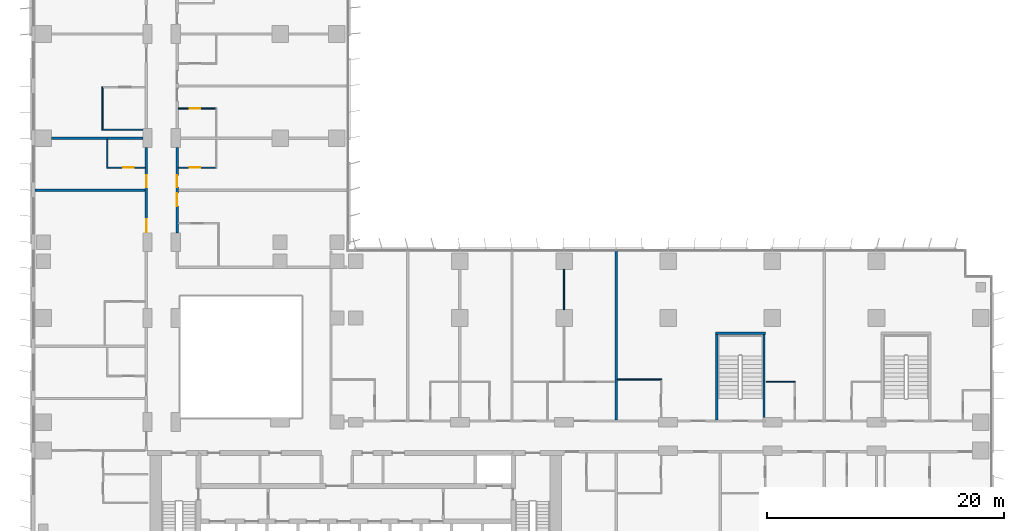
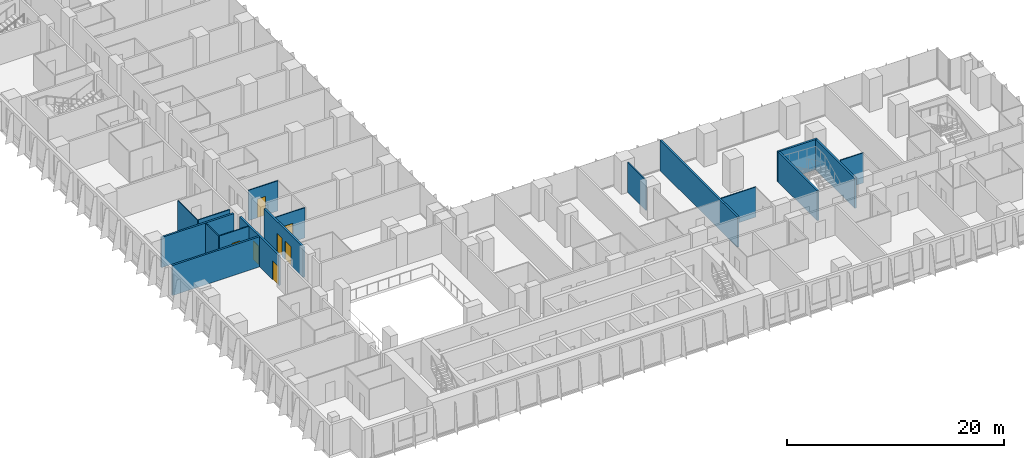
# One storey, part 15 of 24: 17 walls, 7 doors, 7 openings.
"""IFC4 building model written with IfcOpenShell, lengths in metres."""

from ifc_helpers import new_model, si_unit, direction, frame, frame_2d, origin, place, context, subcontext, project, spatial, rectangle, extrude, material, layer, layer_set, type_object, element, fill, save


model = new_model("IFC4")

# Units and contexts
model_context = context("Model", 3, precision=1e-05, world=origin(), true_north=direction((0.0, 1.0)))
body_context = subcontext(model_context, "Body", "Model", "MODEL_VIEW")
ifc_project = project(units=[si_unit("LENGTHUNIT", "METRE"), si_unit("AREAUNIT", "SQUARE_METRE"), si_unit("VOLUMEUNIT", "CUBIC_METRE"), si_unit("PLANEANGLEUNIT", "RADIAN"), si_unit("MASSUNIT", "GRAM", prefix="KILO")], contexts=[model_context])

# Site, building, storey
site_placement = place(None, origin())
site = spatial("IfcSite", under=ifc_project, at=site_placement, CompositionType="ELEMENT")
building_placement = place(site_placement, origin())
building = spatial("IfcBuilding", under=site, at=building_placement, Name="Kemantara Hotel Tower", CompositionType="ELEMENT")
storey_placement = place(building_placement, frame((0.0, 0.0, 56.199951171875)))
storey = spatial("IfcBuildingStorey", under=building, at=storey_placement, Name="L12", CompositionType="ELEMENT", Elevation=56.199951171875)

# Wall, openings, doors
ifc_material_1 = material(Name="Gypsum board partition, steel studs and mineral wool, 200 mm", Category="steel")
ifc_layer_1 = layer(ifc_material_1, 0.199951171875)
ifc_layer_set_1 = layer_set([ifc_layer_1], Name="Gypsum board partition, steel studs and mineral wool, 200 mm")
wall_type_1 = type_object("IfcWallType", Name="CORRIDOR WALL 200", PredefinedType="PARTITIONING", material=ifc_layer_set_1)
wall_1_placement = place(storey_placement, frame((9.699951171875, 28.2001953125, 0.0), z_axis=(0.0, 0.0, 1.0), x_axis=(0.0, 1.0, 0.0)))
wall_1 = element("IfcWall", 1, at=wall_1_placement, inside=storey, type_object=wall_type_1, Name="CORRIDOR WALL 200 028", PredefinedType="PARTITIONING", context=body_context, shape_type="SweptSolid", body=[
    extrude(rectangle(XDim=7.19970703125, YDim=0.199951171875, at=frame_2d((3.599853515625, 0.0))), origin(), (0.0, 0.0, 1.0), 3.400146484375),
])
opening_1_placement = place(wall_1_placement, frame((0.0498046875, 0.0, 0.0)))
opening_1 = element("IfcOpeningElement", 2, at=opening_1_placement, cuts=wall_1, Name="Opening F04-035", PredefinedType="OPENING", context=body_context, shape_type="SweptSolid", body=[
    extrude(rectangle(XDim=1.10009765625, YDim=2.10009765625, at=frame_2d((0.550048828125, 1.050048828125))), frame((0.0, 0.10986328125, 0.0), z_axis=(0.0, -1.0, 0.0), x_axis=(1.0, 0.0, 0.0)), (0.0, 0.0, 1.0), 0.219970703125),
])
opening_2_placement = place(wall_1_placement, frame((3.849853515625, 0.0, 0.0)))
opening_2 = element("IfcOpeningElement", 3, at=opening_2_placement, cuts=wall_1, Name="Opening F04-037", PredefinedType="OPENING", context=body_context, shape_type="SweptSolid", body=[
    extrude(rectangle(XDim=1.0, YDim=2.10009765625, at=frame_2d((0.5, 1.050048828125))), frame((0.0, 0.10986328125, 0.0), z_axis=(0.0, -1.0, 0.0), x_axis=(1.0, 0.0, 0.0)), (0.0, 0.0, 1.0), 0.219970703125),
])
ifc_material_2 = material(Name="Hardwood veneer door leaf with steel frame", Category="steel")
door_type_1 = type_object("IfcDoorType", Name="GUEST ROOM DOOR 1000 X 2100 FD30S", OperationType="NOTDEFINED", PredefinedType="DOOR", material=ifc_material_2)
door_1_placement = place(opening_2_placement, origin())
door_1 = element("IfcDoor", 4, at=door_1_placement, inside=storey, type_object=door_type_1, Name="GUEST ROOM DOOR F04-037", OperationType="SINGLE_SWING_LEFT", OverallHeight=2.10009765625, OverallWidth=1.0, PredefinedType="DOOR", context=body_context, shape_type="SweptSolid", body=[
    extrude(rectangle(XDim=1.0, YDim=2.10009765625, at=frame_2d((0.5, 1.050048828125))), frame((0.0, 0.02490234375, 0.0), z_axis=(0.0, -1.0, 0.0), x_axis=(1.0, 0.0, 0.0)), (0.0, 0.0, 1.0), 0.050048828125),
])
fill(opening_2, door_1)
door_type_2 = type_object("IfcDoorType", Name="SUITE ENTRANCE DOOR 1100 X 2100 FD30S", OperationType="NOTDEFINED", PredefinedType="DOOR", material=ifc_material_2)
door_2_placement = place(opening_1_placement, origin())
door_2 = element("IfcDoor", 5, at=door_2_placement, inside=storey, type_object=door_type_2, Name="SUITE ENTRANCE DOOR F04-035", OperationType="SINGLE_SWING_RIGHT", OverallHeight=2.10009765625, OverallWidth=1.10009765625, PredefinedType="DOOR", context=body_context, shape_type="SweptSolid", body=[
    extrude(rectangle(XDim=1.10009765625, YDim=2.10009765625, at=frame_2d((0.550048828125, 1.050048828125))), frame((0.0, 0.02490234375, 0.0), z_axis=(0.0, -1.0, 0.0), x_axis=(1.0, 0.0, 0.0)), (0.0, 0.0, 1.0), 0.050048828125),
])
fill(opening_1, door_2)

wall_2_placement = place(storey_placement, frame((12.300048828125, 35.39990234375, 0.0), z_axis=(0.0, 0.0, 1.0), x_axis=(0.0, -1.0, 0.0)))
wall_2 = element("IfcWall", 6, at=wall_2_placement, inside=storey, type_object=wall_type_1, Name="CORRIDOR WALL 200 048", PredefinedType="PARTITIONING", context=body_context, shape_type="SweptSolid", body=[
    extrude(rectangle(XDim=7.19970703125, YDim=0.199951171875, at=frame_2d((3.599853515625, 0.0))), origin(), (0.0, 0.0, 1.0), 3.400146484375),
])
opening_3_placement = place(wall_2_placement, frame((3.849853515625, 0.0, 0.0)))
opening_3 = element("IfcOpeningElement", 7, at=opening_3_placement, cuts=wall_2, Name="Opening F04-049", PredefinedType="OPENING", context=body_context, shape_type="SweptSolid", body=[
    extrude(rectangle(XDim=1.10009765625, YDim=2.10009765625, at=frame_2d((0.550048828125, 1.050048828125))), frame((0.0, 0.10986328125, 0.0), z_axis=(0.0, -1.0, 0.0), x_axis=(1.0, 0.0, 0.0)), (0.0, 0.0, 1.0), 0.219970703125),
])
opening_4_placement = place(wall_2_placement, frame((2.349853515625, 0.0, 0.0)))
opening_4 = element("IfcOpeningElement", 8, at=opening_4_placement, cuts=wall_2, Name="Opening F04-051", PredefinedType="OPENING", context=body_context, shape_type="SweptSolid", body=[
    extrude(rectangle(XDim=1.0, YDim=2.10009765625, at=frame_2d((0.5, 1.050048828125))), frame((0.0, 0.10986328125, 0.0), z_axis=(0.0, -1.0, 0.0), x_axis=(1.0, 0.0, 0.0)), (0.0, 0.0, 1.0), 0.219970703125),
])
door_3_placement = place(opening_4_placement, origin())
door_3 = element("IfcDoor", 9, at=door_3_placement, inside=storey, type_object=door_type_1, Name="GUEST ROOM DOOR F04-051", OperationType="SINGLE_SWING_RIGHT", OverallHeight=2.10009765625, OverallWidth=1.0, PredefinedType="DOOR", context=body_context, shape_type="SweptSolid", body=[
    extrude(rectangle(XDim=1.0, YDim=2.10009765625, at=frame_2d((0.5, 1.050048828125))), frame((0.0, 0.02490234375, 0.0), z_axis=(0.0, -1.0, 0.0), x_axis=(1.0, 0.0, 0.0)), (0.0, 0.0, 1.0), 0.050048828125),
])
fill(opening_4, door_3)
door_4_placement = place(opening_3_placement, origin())
door_4 = element("IfcDoor", 10, at=door_4_placement, inside=storey, type_object=door_type_2, Name="SUITE ENTRANCE DOOR F04-049", OperationType="SINGLE_SWING_LEFT", OverallHeight=2.10009765625, OverallWidth=1.10009765625, PredefinedType="DOOR", context=body_context, shape_type="SweptSolid", body=[
    extrude(rectangle(XDim=1.10009765625, YDim=2.10009765625, at=frame_2d((0.550048828125, 1.050048828125))), frame((0.0, 0.02490234375, 0.0), z_axis=(0.0, -1.0, 0.0), x_axis=(1.0, 0.0, 0.0)), (0.0, 0.0, 1.0), 0.050048828125),
])
fill(opening_3, door_4)

# Walls
ifc_material_3 = material(Name="Concrete fc 40 MPa", Category="concrete")
ifc_layer_2 = layer(ifc_material_3, 0.199951171875)
ifc_layer_set_2 = layer_set([ifc_layer_2], Name="Concrete fc 40 MPa")
wall_type_2 = type_object("IfcWallType", Name="Concrete stair wall 200 mm", PredefinedType="SHEAR", material=ifc_layer_set_2)
wall_3_placement = place(storey_placement, frame((57.800048828125, 19.699951171875, 0.0), z_axis=(0.0, 0.0, 1.0), x_axis=(1.0, 0.0, 0.0)))
element("IfcWall", 11, at=wall_3_placement, inside=storey, type_object=wall_type_2, Name="Stair ST3 enclosure wall N", PredefinedType="SHEAR", context=body_context, shape_type="SweptSolid", body=[
    extrude(rectangle(XDim=4.199951171875, YDim=0.199951171875, at=frame_2d((2.10009765625, 0.0))), origin(), (0.0, 0.0, 1.0), 3.400146484375),
])
for number, where, z_axis, x_axis, name in (
    (12, (57.89990234375, 12.39990234375, 0.0), (0.0, 0.0, 1.0), (0.0, 1.0, 0.0), "Stair ST3 enclosure wall W"),
    (13, (61.89990234375, 12.39990234375, 0.0), (0.0, 0.0, 1.0), (0.0, 1.0, 0.0), "Stair ST3 enclosure wall E"),
):
    element("IfcWall", number, at=place(storey_placement, frame(where, z_axis=z_axis, x_axis=x_axis)), inside=storey, type_object=wall_type_2, Name=name, PredefinedType="SHEAR", context=body_context, shape_type="SweptSolid", body=[
        extrude(rectangle(XDim=7.2001953125, YDim=0.199951171875, at=frame_2d((3.60009765625, 0.0))), origin(), (0.0, 0.0, 1.0), 3.400146484375),
    ])
ifc_layer_3 = layer(ifc_material_1, 0.199951171875)
ifc_layer_set_3 = layer_set([ifc_layer_3], Name="Gypsum board partition, steel studs and mineral wool, 200 mm")
wall_type_3 = type_object("IfcWallType", Name="GUEST ROOM PARTY WALL 200", PredefinedType="PARTITIONING", material=ifc_layer_set_3)
wall_4_placement = place(storey_placement, frame((49.39990234375, 12.39990234375, 0.0), z_axis=(0.0, 0.0, 1.0), x_axis=(0.0, 1.0, 0.0)))
element("IfcWall", 14, at=wall_4_placement, inside=storey, type_object=wall_type_3, Name="GUEST ROOM PARTY WALL 200 006", PredefinedType="PARTITIONING", context=body_context, shape_type="SweptSolid", body=[
    extrude(rectangle(XDim=14.27001953125, YDim=0.199951171875, at=frame_2d((7.135009765625, 0.0))), origin(), (0.0, 0.0, 1.0), 3.400146484375),
])
wall_5_placement = place(storey_placement, frame((0.31005859375, 31.800048828125, 0.0), z_axis=(0.0, 0.0, 1.0), x_axis=(1.0, 0.0, 0.0)))
element("IfcWall", 15, at=wall_5_placement, inside=storey, type_object=wall_type_3, Name="GUEST ROOM PARTY WALL 200 036", PredefinedType="PARTITIONING", context=body_context, shape_type="SweptSolid", body=[
    extrude(rectangle(XDim=9.2900390625, YDim=0.199951171875, at=frame_2d((4.64501953125, 0.0))), origin(), (0.0, 0.0, 1.0), 3.400146484375),
])
wall_6_placement = place(storey_placement, frame((1.7001953125, 36.199951171875, 0.0), z_axis=(0.0, 0.0, 1.0), x_axis=(1.0, 0.0, 0.0)))
element("IfcWall", 16, at=wall_6_placement, inside=storey, type_object=wall_type_3, Name="GUEST ROOM PARTY WALL 200 038", PredefinedType="PARTITIONING", context=body_context, shape_type="SweptSolid", body=[
    extrude(rectangle(XDim=7.69970703125, YDim=0.199951171875, at=frame_2d((3.849853515625, 0.0))), origin(), (0.0, 0.0, 1.0), 3.400146484375),
])
ifc_material_4 = material(Name="Gypsum board partition on steel studs, 100 mm", Category="steel")
ifc_layer_4 = layer(ifc_material_4, 0.10009765625)
ifc_layer_set_4 = layer_set([ifc_layer_4], Name="Gypsum board partition on steel studs, 100 mm")
wall_type_4 = type_object("IfcWallType", Name="ROOM PARTITION 100", PredefinedType="PARTITIONING", material=ifc_layer_set_4)
wall_7_placement = place(storey_placement, frame((49.5, 15.800048828125, 0.0), z_axis=(0.0, 0.0, 1.0), x_axis=(1.0, 0.0, 0.0)))
element("IfcWall", 17, at=wall_7_placement, inside=storey, type_object=wall_type_4, Name="ROOM PARTITION 100 078", PredefinedType="PARTITIONING", context=body_context, shape_type="SweptSolid", body=[
    extrude(rectangle(XDim=3.75, YDim=0.10009765625, at=frame_2d((1.875, 0.0))), origin(), (0.0, 0.0, 1.0), 3.400146484375),
])
wall_8_placement = place(storey_placement, frame((62.10009765625, 15.60009765625, 0.0), z_axis=(0.0, 0.0, 1.0), x_axis=(1.0, 0.0, 0.0)))
element("IfcWall", 18, at=wall_8_placement, inside=storey, type_object=wall_type_4, Name="ROOM PARTITION 100 083", PredefinedType="PARTITIONING", context=body_context, shape_type="SweptSolid", body=[
    extrude(rectangle(XDim=2.449951171875, YDim=0.10009765625, at=frame_2d((1.22509765625, 0.0))), origin(), (0.0, 0.0, 1.0), 3.400146484375),
])
wall_9_placement = place(storey_placement, frame((45.0, 21.7001953125, 0.0), z_axis=(0.0, 0.0, 1.0), x_axis=(0.0, 1.0, 0.0)))
element("IfcWall", 19, at=wall_9_placement, inside=storey, type_object=wall_type_4, Name="ROOM PARTITION 100 089", PredefinedType="PARTITIONING", context=body_context, shape_type="SweptSolid", body=[
    extrude(rectangle(XDim=3.399658203125, YDim=0.10009765625, at=frame_2d((1.69970703125, 0.0))), origin(), (0.0, 0.0, 1.0), 3.400146484375),
])
wall_10_placement = place(storey_placement, frame((6.39990234375, 33.64990234375, 0.0), z_axis=(0.0, 0.0, 1.0), x_axis=(0.0, 1.0, 0.0)))
element("IfcWall", 20, at=wall_10_placement, inside=storey, type_object=wall_type_4, Name="ROOM PARTITION 100 100", PredefinedType="PARTITIONING", context=body_context, shape_type="SweptSolid", body=[
    extrude(rectangle(XDim=2.4501953125, YDim=0.10009765625, at=frame_2d((1.22509765625, 0.0))), origin(), (0.0, 0.0, 1.0), 3.400146484375),
])

# Wall, opening, door
wall_11_placement = place(storey_placement, frame((6.449951171875, 33.699951171875, 0.0), z_axis=(0.0, 0.0, 1.0), x_axis=(1.0, 0.0, 0.0)))
wall_11 = element("IfcWall", 21, at=wall_11_placement, inside=storey, type_object=wall_type_4, Name="ROOM PARTITION 100 106", PredefinedType="PARTITIONING", context=body_context, shape_type="SweptSolid", body=[
    extrude(rectangle(XDim=3.150146484375, YDim=0.10009765625, at=frame_2d((1.5751953125, 0.0))), origin(), (0.0, 0.0, 1.0), 3.400146484375),
])
opening_5_placement = place(wall_11_placement, frame((1.300048828125, 0.0, 0.0)))
opening_5 = element("IfcOpeningElement", 22, at=opening_5_placement, cuts=wall_11, Name="Opening F04-038", PredefinedType="OPENING", context=body_context, shape_type="SweptSolid", body=[
    extrude(rectangle(XDim=0.89990234375, YDim=2.10009765625, at=frame_2d((0.449951171875, 1.050048828125))), frame((0.0, 0.06005859375, 0.0), z_axis=(0.0, -1.0, 0.0), x_axis=(1.0, 0.0, 0.0)), (0.0, 0.0, 1.0), 0.1201171875),
])
door_type_3 = type_object("IfcDoorType", Name="BATHROOM DOOR 900 X 2100", OperationType="NOTDEFINED", PredefinedType="DOOR", material=ifc_material_2)
door_5_placement = place(opening_5_placement, origin())
door_5 = element("IfcDoor", 23, at=door_5_placement, inside=storey, type_object=door_type_3, Name="BATHROOM DOOR F04-038", OperationType="SINGLE_SWING_RIGHT", OverallHeight=2.10009765625, OverallWidth=0.89990234375, PredefinedType="DOOR", context=body_context, shape_type="SweptSolid", body=[
    extrude(rectangle(XDim=0.89990234375, YDim=2.10009765625, at=frame_2d((0.449951171875, 1.050048828125))), frame((0.0, 0.02490234375, 0.0), z_axis=(0.0, -1.0, 0.0), x_axis=(1.0, 0.0, 0.0)), (0.0, 0.0, 1.0), 0.050048828125),
])
fill(opening_5, door_5)

wall_12_placement = place(storey_placement, frame((12.39990234375, 33.699951171875, 0.0), z_axis=(0.0, 0.0, 1.0), x_axis=(1.0, 0.0, 0.0)))
wall_12 = element("IfcWall", 24, at=wall_12_placement, inside=storey, type_object=wall_type_4, Name="ROOM PARTITION 100 107", PredefinedType="PARTITIONING", context=body_context, shape_type="SweptSolid", body=[
    extrude(rectangle(XDim=3.150146484375, YDim=0.10009765625, at=frame_2d((1.5751953125, 0.0))), origin(), (0.0, 0.0, 1.0), 3.400146484375),
])
opening_6_placement = place(wall_12_placement, frame((0.949951171875, 0.0, 0.0)))
opening_6 = element("IfcOpeningElement", 25, at=opening_6_placement, cuts=wall_12, Name="Opening F04-052", PredefinedType="OPENING", context=body_context, shape_type="SweptSolid", body=[
    extrude(rectangle(XDim=0.89990234375, YDim=2.10009765625, at=frame_2d((0.449951171875, 1.050048828125))), frame((0.0, 0.06005859375, 0.0), z_axis=(0.0, -1.0, 0.0), x_axis=(1.0, 0.0, 0.0)), (0.0, 0.0, 1.0), 0.1201171875),
])
door_6_placement = place(opening_6_placement, origin())
door_6 = element("IfcDoor", 26, at=door_6_placement, inside=storey, type_object=door_type_3, Name="BATHROOM DOOR F04-052", OperationType="SINGLE_SWING_LEFT", OverallHeight=2.10009765625, OverallWidth=0.89990234375, PredefinedType="DOOR", context=body_context, shape_type="SweptSolid", body=[
    extrude(rectangle(XDim=0.89990234375, YDim=2.10009765625, at=frame_2d((0.449951171875, 1.050048828125))), frame((0.0, 0.02490234375, 0.0), z_axis=(0.0, -1.0, 0.0), x_axis=(1.0, 0.0, 0.0)), (0.0, 0.0, 1.0), 0.050048828125),
])
fill(opening_6, door_6)

# Walls
wall_13_placement = place(storey_placement, frame((6.0, 36.85009765625, 0.0), z_axis=(0.0, 0.0, 1.0), x_axis=(0.0, 1.0, 0.0)))
element("IfcWall", 27, at=wall_13_placement, inside=storey, type_object=wall_type_4, Name="ROOM PARTITION 100 108", PredefinedType="PARTITIONING", context=body_context, shape_type="SweptSolid", body=[
    extrude(rectangle(XDim=3.699951171875, YDim=0.10009765625, at=frame_2d((1.85009765625, 0.0))), origin(), (0.0, 0.0, 1.0), 3.400146484375),
])
wall_14_placement = place(storey_placement, frame((6.050048828125, 36.89990234375, 0.0), z_axis=(0.0, 0.0, 1.0), x_axis=(1.0, 0.0, 0.0)))
element("IfcWall", 28, at=wall_14_placement, inside=storey, type_object=wall_type_4, Name="ROOM PARTITION 100 110", PredefinedType="PARTITIONING", context=body_context, shape_type="SweptSolid", body=[
    extrude(rectangle(XDim=3.349853515625, YDim=0.10009765625, at=frame_2d((1.6748046875, 0.0))), origin(), (0.0, 0.0, 1.0), 3.400146484375),
])

# Wall, opening, door
wall_15_placement = place(storey_placement, frame((15.550048828125, 38.699951171875, 0.0), z_axis=(0.0, 0.0, 1.0), x_axis=(-1.0, 0.0, 0.0)))
wall_15 = element("IfcWall", 29, at=wall_15_placement, inside=storey, type_object=wall_type_4, Name="ROOM PARTITION 100 128", PredefinedType="PARTITIONING", context=body_context, shape_type="SweptSolid", body=[
    extrude(rectangle(XDim=3.150146484375, YDim=0.10009765625, at=frame_2d((1.5751953125, 0.0))), origin(), (0.0, 0.0, 1.0), 3.400146484375),
])
opening_7_placement = place(wall_15_placement, frame((1.300048828125, 0.0, 0.0)))
opening_7 = element("IfcOpeningElement", 30, at=opening_7_placement, cuts=wall_15, Name="Opening F04-054", PredefinedType="OPENING", context=body_context, shape_type="SweptSolid", body=[
    extrude(rectangle(XDim=0.89990234375, YDim=2.10009765625, at=frame_2d((0.449951171875, 1.050048828125))), frame((0.0, 0.06005859375, 0.0), z_axis=(0.0, -1.0, 0.0), x_axis=(1.0, 0.0, 0.0)), (0.0, 0.0, 1.0), 0.1201171875),
])
door_7_placement = place(opening_7_placement, origin())
door_7 = element("IfcDoor", 31, at=door_7_placement, inside=storey, type_object=door_type_3, Name="BATHROOM DOOR F04-054", OperationType="SINGLE_SWING_RIGHT", OverallHeight=2.10009765625, OverallWidth=0.89990234375, PredefinedType="DOOR", context=body_context, shape_type="SweptSolid", body=[
    extrude(rectangle(XDim=0.89990234375, YDim=2.10009765625, at=frame_2d((0.449951171875, 1.050048828125))), frame((0.0, 0.02490234375, 0.0), z_axis=(0.0, -1.0, 0.0), x_axis=(1.0, 0.0, 0.0)), (0.0, 0.0, 1.0), 0.050048828125),
])
fill(opening_7, door_7)

save(model, "model.ifc")
